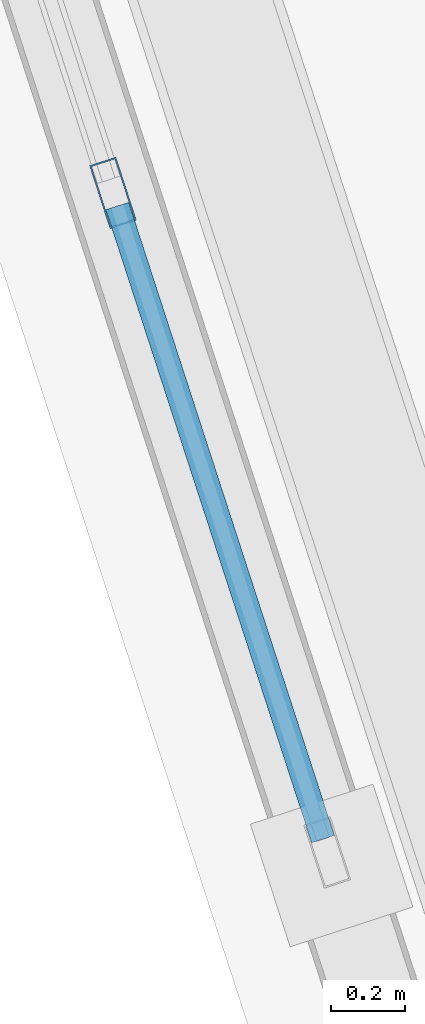
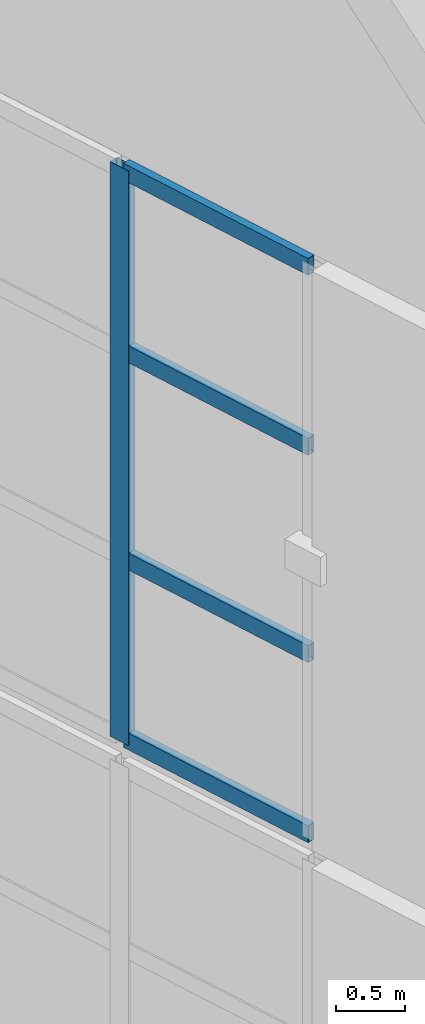
# One storey, part 15 of 56: 5 members, 1 element without a shape of its own.
"""IFC4 building model written with IfcOpenShell, lengths in metres."""

from ifc_helpers import new_model, si_unit, direction, frame, origin, origin_2d, place, context, subcontext, project, spatial, hollow_rectangle, extrude, material, layer, layer_set, material_profile, profile_set, type_object, element, aggregate, save


model = new_model("IFC4")

# Units and contexts
model_context = context("Model", 3, precision=1e-05, world=origin(), true_north=direction((0.0, 1.0)))
body_context = subcontext(model_context, "Body", "Model", "MODEL_VIEW")
ifc_project = project(units=[si_unit("LENGTHUNIT", "METRE"), si_unit("AREAUNIT", "SQUARE_METRE"), si_unit("VOLUMEUNIT", "CUBIC_METRE"), si_unit("PLANEANGLEUNIT", "RADIAN"), si_unit("MASSUNIT", "GRAM", prefix="KILO")], contexts=[model_context])

# Site, building, storey
site_placement = place(None, origin())
site = spatial("IfcSite", under=ifc_project, at=site_placement, CompositionType="ELEMENT")
building_placement = place(site_placement, origin())
building = spatial("IfcBuilding", under=site, at=building_placement, Name="Qiaolan Cultural Towers", CompositionType="ELEMENT")
storey_placement = place(building_placement, frame((0.0, 0.0, 250.39990234375)))
storey = spatial("IfcBuildingStorey", under=building, at=storey_placement, Name="L68", CompositionType="ELEMENT", Elevation=250.39990234375)

# Curtain wall, members
ifc_material_1 = material(Name="Unitized Anodized Aluminium Curtain Wall System", Category="aluminium")
ifc_layer = layer(ifc_material_1, 0.199951171875)
ifc_layer_set = layer_set([ifc_layer], Name="Unitized Anodized Aluminium Curtain Wall System")
curtain_wall_type = type_object("IfcCurtainWallType", Name="CWS-06", PredefinedType="NOTDEFINED", material=ifc_layer_set)
curtain_wall_placement = place(storey_placement, origin())
curtain_wall = element("IfcCurtainWall", 1, at=curtain_wall_placement, inside=storey, type_object=curtain_wall_type, Name="T2 Crown Tier 5 Fritted Screen Curtain Wall 7", PredefinedType="NOTDEFINED")
ifc_material_2 = material(Name="Extruded Aluminium 6063-T6", Category="aluminium")
ifc_material_profile_1 = material_profile(ifc_material_2, hollow_rectangle(XDim=0.074951171875, YDim=0.179931640625, WallThickness=0.00390625, at=origin_2d()), Name="CWM-180x75x4")
ifc_profile_set_1 = profile_set([ifc_material_profile_1], Name="Extruded Aluminium 6063-T6")
member_type_1 = type_object("IfcMemberType", Name="CWS-06-MUL", PredefinedType="MULLION", material=ifc_profile_set_1)
member_1_placement = place(storey_placement, frame((78.014404296875, 26.068115234375, 21.300048828125), z_axis=(0.0, 0.0, 1.0), x_axis=(0.951056535512, 0.309016935232, 0.0)))
member_1 = element("IfcMember", 2, at=member_1_placement, type_object=member_type_1, Name="CW-6 mullion 6", PredefinedType="MULLION", context=body_context, shape_type="SweptSolid", body=[
    extrude(hollow_rectangle(XDim=0.074951171875, YDim=0.179931640625, WallThickness=0.00390625, at=origin_2d()), origin(), (0.0, 0.0, 1.0), 5.10009765625),
])
ifc_material_3 = material(Name="Extruded Aluminium 6063-T6", Category="aluminium")
ifc_material_profile_2 = material_profile(ifc_material_3, hollow_rectangle(XDim=0.06494140625, YDim=0.14990234375, WallThickness=0.00390625, at=origin_2d()), Name="CWT-150x65x4")
ifc_profile_set_2 = profile_set([ifc_material_profile_2], Name="Extruded Aluminium 6063-T6")
member_type_2 = type_object("IfcMemberType", Name="CWS-06-TRN", PredefinedType="USERDEFINED", material=ifc_profile_set_2)
member_2_placement = place(storey_placement, frame((78.026123046875, 26.032470703125, 21.33251953125), z_axis=(0.309046367257, -0.951046971966, 0.0), x_axis=(0.951046971966, 0.309046367257, 0.0)))
member_2 = element("IfcMember", 3, at=member_2_placement, type_object=member_type_2, Name="CW-6 transom 6.1", ObjectType="TRANSOM", PredefinedType="USERDEFINED", context=body_context, shape_type="SweptSolid", body=[
    extrude(hollow_rectangle(XDim=0.06494140625, YDim=0.14990234375, WallThickness=0.00390625, at=origin_2d()), origin(), (0.0, 0.0, 1.0), 1.807373046875),
])
member_3_placement = place(storey_placement, frame((78.026123046875, 26.032470703125, 22.93017578125), z_axis=(0.309046367257, -0.951046971966, 0.0), x_axis=(0.951046971966, 0.309046367257, 0.0)))
member_3 = element("IfcMember", 4, at=member_3_placement, type_object=member_type_2, Name="CW-6 transom 6.2", ObjectType="TRANSOM", PredefinedType="USERDEFINED", context=body_context, shape_type="SweptSolid", body=[
    extrude(hollow_rectangle(XDim=0.06494140625, YDim=0.14990234375, WallThickness=0.00390625, at=origin_2d()), origin(), (0.0, 0.0, 1.0), 1.807373046875),
])
member_4_placement = place(storey_placement, frame((78.026123046875, 26.032470703125, 24.77001953125), z_axis=(0.309046367257, -0.951046971966, 0.0), x_axis=(0.951046971966, 0.309046367257, 0.0)))
member_4 = element("IfcMember", 5, at=member_4_placement, type_object=member_type_2, Name="CW-6 transom 6.3", ObjectType="TRANSOM", PredefinedType="USERDEFINED", context=body_context, shape_type="SweptSolid", body=[
    extrude(hollow_rectangle(XDim=0.06494140625, YDim=0.14990234375, WallThickness=0.00390625, at=origin_2d()), origin(), (0.0, 0.0, 1.0), 1.807373046875),
])
member_5_placement = place(storey_placement, frame((78.026123046875, 26.032470703125, 26.36767578125), z_axis=(0.309046367257, -0.951046971966, 0.0), x_axis=(0.951046971966, 0.309046367257, 0.0)))
member_5 = element("IfcMember", 6, at=member_5_placement, type_object=member_type_2, Name="CW-6 transom 6.4", ObjectType="TRANSOM", PredefinedType="USERDEFINED", context=body_context, shape_type="SweptSolid", body=[
    extrude(hollow_rectangle(XDim=0.06494140625, YDim=0.14990234375, WallThickness=0.00390625, at=origin_2d()), origin(), (0.0, 0.0, 1.0), 1.807373046875),
])
aggregate(curtain_wall, [member_1, member_2, member_3, member_4, member_5])

save(model, "model.ifc")
